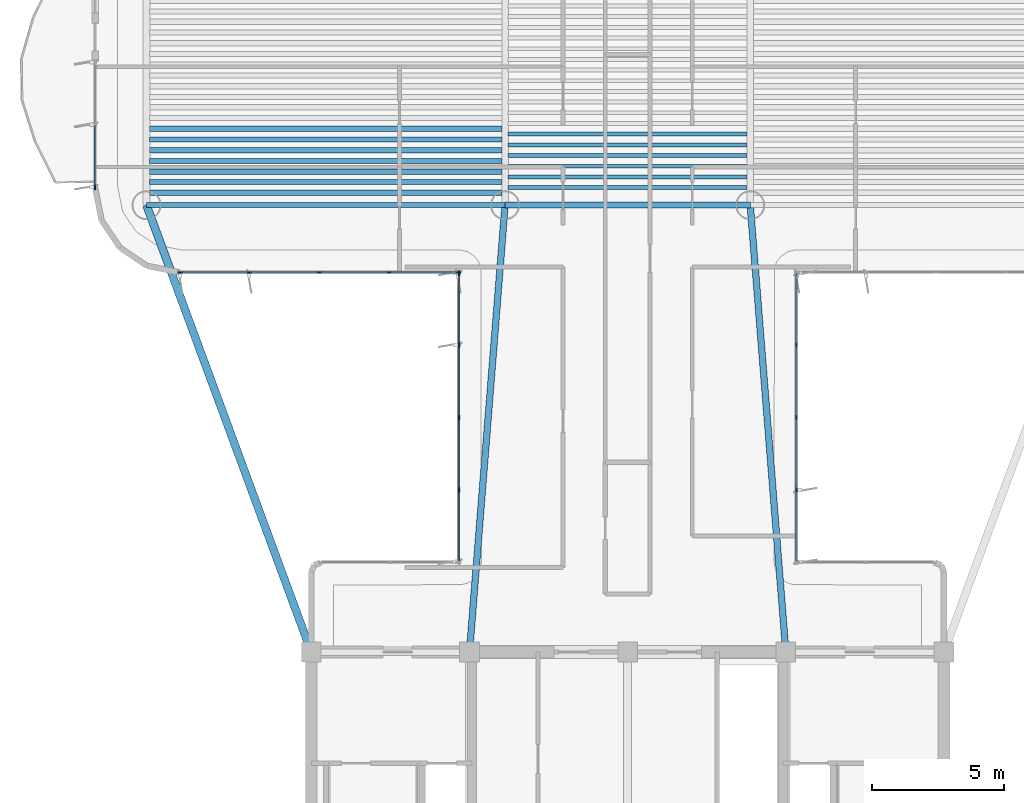
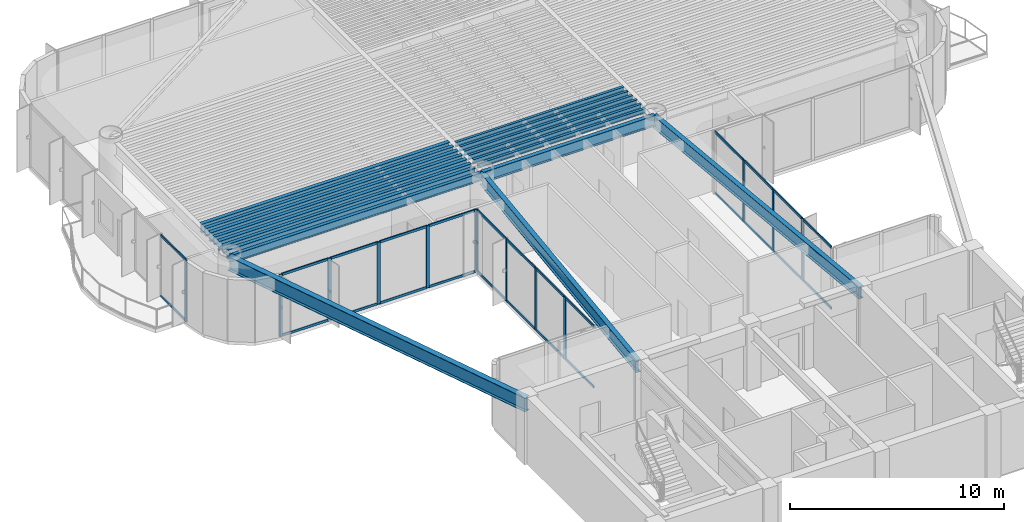
# One storey, part 3 of 14: 39 members, 18 beams, 4 elements without a shape of their own.
"""IFC4 building model written with IfcOpenShell, lengths in metres."""

from ifc_helpers import new_model, si_unit, direction, frame, origin, origin_2d, place, context, subcontext, project, spatial, rectangle, i_section, extrude, source, transform, mapped, material, layer, layer_set, material_profile, profile_set, type_object, element, aggregate, save


model = new_model("IFC4")

# Units and contexts
model_context = context("Model", 3, precision=1e-05, world=origin(), true_north=direction((0.0, 1.0)))
body_context = subcontext(model_context, "Body", "Model", "MODEL_VIEW")
ifc_project = project(units=[si_unit("LENGTHUNIT", "METRE"), si_unit("AREAUNIT", "SQUARE_METRE"), si_unit("VOLUMEUNIT", "CUBIC_METRE"), si_unit("PLANEANGLEUNIT", "RADIAN"), si_unit("MASSUNIT", "GRAM", prefix="KILO")], contexts=[model_context])

# Site, building, storey
site_placement = place(None, origin())
site = spatial("IfcSite", under=ifc_project, at=site_placement, CompositionType="ELEMENT")
building_placement = place(site_placement, origin())
building = spatial("IfcBuilding", under=site, at=building_placement, Name="Brelvock Crest Care Tower", CompositionType="ELEMENT")
storey_placement = place(building_placement, frame((0.0, 0.0, 179.10009765625)))
storey = spatial("IfcBuildingStorey", under=building, at=storey_placement, Name="L45", CompositionType="ELEMENT", Elevation=179.10009765625)

# Beams
ifc_material_1 = material(Name="Steel Grade 350", Category="steel")
ifc_material_profile_1 = material_profile(ifc_material_1, i_section(OverallWidth=0.22900390625, OverallDepth=0.612060546875, WebThickness=0.011962890625, FlangeThickness=0.01953125, FilletRadius=0.013916015625, at=origin_2d()), Name="610UB125")
ifc_profile_set_1 = profile_set([ifc_material_profile_1], Name="Steel Grade 350")
beam_type_1 = type_object("IfcBeamType", Name="BM-G1", PredefinedType="BEAM", material=ifc_profile_set_1)
shared_shape_1 = source(origin(), body_context, "Body", "SweptSolid", [
    extrude(i_section(OverallWidth=0.22900390625, OverallDepth=0.612060546875, WebThickness=0.011962890625, FlangeThickness=0.01953125, FilletRadius=0.013916015625, at=origin_2d()), origin(), (0.0, 0.0, 1.0), 9.2998046875),
])
beam_1_placement = place(storey_placement, frame((31.35009765625, 34.949951171875, 3.223876953125), z_axis=(1.0, 0.0, 0.0), x_axis=(0.0, 1.0, 0.0)))
element("IfcBeam", 1, at=beam_1_placement, inside=storey, type_object=beam_type_1, Name="BM-TWR-L45-05", PredefinedType="BEAM", context=body_context, shape_type="MappedRepresentation", body=[
    mapped(shared_shape_1, transform((0.0, 0.0, 0.0), x_axis=(1.0, 0.0, 0.0), y_axis=(0.0, 1.0, 0.0), z_axis=(0.0, 0.0, 1.0), scale=1.0)),
])
ifc_material_profile_2 = material_profile(ifc_material_1, i_section(OverallWidth=0.14599609375, OverallDepth=0.256103515625, WebThickness=0.00634765625, FlangeThickness=0.010986328125, FilletRadius=0.0087890625, at=origin_2d()), Name="250UB37.3")
ifc_profile_set_2 = profile_set([ifc_material_profile_2], Name="Steel Grade 350")
beam_type_2 = type_object("IfcBeamType", Name="BM-J3", PredefinedType="JOIST", material=ifc_profile_set_2)
shared_shape_2 = source(origin(), body_context, "Body", "SweptSolid", [
    extrude(i_section(OverallWidth=0.14599609375, OverallDepth=0.256103515625, WebThickness=0.00634765625, FlangeThickness=0.010986328125, FilletRadius=0.0087890625, at=origin_2d()), origin(), (0.0, 0.0, 1.0), 9.06982421875),
])
for number, where, z_axis, x_axis, name in (
    (2, (31.465087890625, 35.618896484375, 3.40185546875), (1.0, 0.0, 0.0), (0.0, 1.0, 0.0), "BM-JH-L45-1"),
    (3, (31.465087890625, 36.02392578125, 3.40185546875), (1.0, 0.0, 0.0), (0.0, 1.0, 0.0), "BM-JH-L45-2"),
    (4, (31.465087890625, 36.42919921875, 3.40185546875), (1.0, 0.0, 0.0), (0.0, 1.0, 0.0), "BM-JH-L45-3"),
    (5, (31.465087890625, 36.834228515625, 3.40185546875), (1.0, 0.0, 0.0), (0.0, 1.0, 0.0), "BM-JH-L45-4"),
    (6, (31.465087890625, 37.239501953125, 3.40185546875), (1.0, 0.0, 0.0), (0.0, 1.0, 0.0), "BM-JH-L45-5"),
    (7, (31.465087890625, 37.64453125, 3.40185546875), (1.0, 0.0, 0.0), (0.0, 1.0, 0.0), "BM-JH-L45-6"),
):
    element("IfcBeam", number, at=place(storey_placement, frame(where, z_axis=z_axis, x_axis=x_axis)), inside=storey, type_object=beam_type_2, Name=name, PredefinedType="JOIST", context=body_context, shape_type="MappedRepresentation", body=[
        mapped(shared_shape_2, transform((0.0, 0.0, 0.0), x_axis=(1.0, 0.0, 0.0), y_axis=(0.0, 1.0, 0.0), z_axis=(0.0, 0.0, 1.0), scale=1.0)),
    ])
ifc_material_profile_3 = material_profile(ifc_material_1, i_section(OverallWidth=0.208984375, OverallDepth=0.532958984375, WebThickness=0.01025390625, FlangeThickness=0.015625, FilletRadius=0.013916015625, at=origin_2d()), Name="530UB92.4")
ifc_profile_set_3 = profile_set([ifc_material_profile_3], Name="Steel Grade 350")
beam_type_3 = type_object("IfcBeamType", Name="BM-G2", PredefinedType="BEAM", material=ifc_profile_set_3)
shared_shape_3 = source(origin(), body_context, "Body", "SweptSolid", [
    extrude(i_section(OverallWidth=0.208984375, OverallDepth=0.532958984375, WebThickness=0.01025390625, FlangeThickness=0.015625, FilletRadius=0.013916015625, at=origin_2d()), origin(), (0.0, 0.0, 1.0), 13.3701171875),
])
for number, where, z_axis, x_axis, name in (
    (8, (17.864990234375, 35.416259765625, 3.263427734375), (1.0, 0.0, 0.0), (0.0, 1.0, 0.0), "BM-JW-L45-1"),
    (9, (17.864990234375, 36.2265625, 3.263427734375), (1.0, 0.0, 0.0), (0.0, 1.0, 0.0), "BM-JW-L45-3"),
    (10, (17.864990234375, 37.036865234375, 3.263427734375), (1.0, 0.0, 0.0), (0.0, 1.0, 0.0), "BM-JW-L45-5"),
    (11, (17.864990234375, 37.84716796875, 3.263427734375), (1.0, 0.0, 0.0), (0.0, 1.0, 0.0), "BM-JW-L45-7"),
):
    element("IfcBeam", number, at=place(storey_placement, frame(where, z_axis=z_axis, x_axis=x_axis)), inside=storey, type_object=beam_type_3, Name=name, PredefinedType="BEAM", context=body_context, shape_type="MappedRepresentation", body=[
        mapped(shared_shape_3, transform((0.0, 0.0, 0.0), x_axis=(1.0, 0.0, 0.0), y_axis=(0.0, 1.0, 0.0), z_axis=(0.0, 0.0, 1.0), scale=1.0)),
    ])
ifc_material_profile_4 = material_profile(ifc_material_1, i_section(OverallWidth=0.19091796875, OverallDepth=0.4599609375, WebThickness=0.010009765625, FlangeThickness=0.01611328125, FilletRadius=0.011474609375, at=origin_2d()), Name="460UB82.1")
ifc_profile_set_4 = profile_set([ifc_material_profile_4], Name="Steel Grade 350")
beam_type_4 = type_object("IfcBeamType", Name="BM-G3", PredefinedType="BEAM", material=ifc_profile_set_4)
shared_shape_4 = source(origin(), body_context, "Body", "SweptSolid", [
    extrude(i_section(OverallWidth=0.19091796875, OverallDepth=0.4599609375, WebThickness=0.010009765625, FlangeThickness=0.01611328125, FilletRadius=0.011474609375, at=origin_2d()), origin(), (0.0, 0.0, 1.0), 13.3701171875),
])
for number, where, z_axis, x_axis, name in (
    (12, (17.864990234375, 35.8212890625, 3.2998046875), (1.0, 0.0, 0.0), (0.0, 1.0, 0.0), "BM-JW-L45-2"),
    (13, (17.864990234375, 36.631591796875, 3.2998046875), (1.0, 0.0, 0.0), (0.0, 1.0, 0.0), "BM-JW-L45-4"),
    (14, (17.864990234375, 37.44189453125, 3.2998046875), (1.0, 0.0, 0.0), (0.0, 1.0, 0.0), "BM-JW-L45-6"),
):
    element("IfcBeam", number, at=place(storey_placement, frame(where, z_axis=z_axis, x_axis=x_axis)), inside=storey, type_object=beam_type_4, Name=name, PredefinedType="BEAM", context=body_context, shape_type="MappedRepresentation", body=[
        mapped(shared_shape_4, transform((0.0, 0.0, 0.0), x_axis=(1.0, 0.0, 0.0), y_axis=(0.0, 1.0, 0.0), z_axis=(0.0, 0.0, 1.0), scale=1.0)),
    ])
ifc_material_profile_5 = material_profile(ifc_material_1, i_section(OverallWidth=0.19091796875, OverallDepth=0.4599609375, WebThickness=0.010009765625, FlangeThickness=0.01611328125, FilletRadius=0.011474609375, at=origin_2d()), Name="460UB82.1")
ifc_profile_set_5 = profile_set([ifc_material_profile_5], Name="Steel Grade 350")
beam_type_5 = type_object("IfcBeamType", Name="BM-SP2", PredefinedType="SPANDREL", material=ifc_profile_set_5)
shared_shape_5 = source(origin(), body_context, "Body", "SweptSolid", [
    extrude(i_section(OverallWidth=0.19091796875, OverallDepth=0.4599609375, WebThickness=0.010009765625, FlangeThickness=0.01611328125, FilletRadius=0.011474609375, at=origin_2d()), origin(), (0.0, 0.0, 1.0), 13.60009765625),
])
beam_2_placement = place(storey_placement, frame((17.75, 34.949951171875, 3.2998046875), z_axis=(1.0, 0.0, 0.0), x_axis=(0.0, 1.0, 0.0)))
element("IfcBeam", 15, at=beam_2_placement, inside=storey, type_object=beam_type_5, Name="BM-TWR-L45-03", PredefinedType="SPANDREL", context=body_context, shape_type="MappedRepresentation", body=[
    mapped(shared_shape_5, transform((0.0, 0.0, 0.0), x_axis=(1.0, 0.0, 0.0), y_axis=(0.0, 1.0, 0.0), z_axis=(0.0, 0.0, 1.0), scale=1.0)),
])
ifc_material_profile_6 = material_profile(ifc_material_1, i_section(OverallWidth=0.25, OverallDepth=0.699951171875, WebThickness=0.011962890625, FlangeThickness=0.02001953125, at=origin_2d()), Name="700WB150")
ifc_profile_set_6 = profile_set([ifc_material_profile_6], Name="Steel Grade 350")
beam_type_6 = type_object("IfcBeamType", Name="BM-G4", PredefinedType="BEAM", material=ifc_profile_set_6)
shared_shape_6 = source(origin(), body_context, "Body", "SweptSolid", [
    extrude(i_section(OverallWidth=0.25, OverallDepth=0.699951171875, WebThickness=0.011962890625, FlangeThickness=0.02001953125, at=origin_2d()), origin(), (0.0, 0.0, 1.0), 17.003662109375),
])
for number, where, z_axis, x_axis, name in (
    (16, (30.0, 18.0, 3.179931640625), (0.079400530776, 0.996842793881, 0.0), (-0.996842793881, 0.079400530776, 0.0), "BM-THRW-L45"),
    (17, (42.0, 18.0, 3.179931640625), (-0.079400530776, 0.996842793881, 0.0), (-0.996842793881, -0.079400530776, 0.0), "BM-THRE-L45"),
):
    element("IfcBeam", number, at=place(storey_placement, frame(where, z_axis=z_axis, x_axis=x_axis)), inside=storey, type_object=beam_type_6, Name=name, PredefinedType="BEAM", context=body_context, shape_type="MappedRepresentation", body=[
        mapped(shared_shape_6, transform((0.0, 0.0, 0.0), x_axis=(1.0, 0.0, 0.0), y_axis=(0.0, 1.0, 0.0), z_axis=(0.0, 0.0, 1.0), scale=1.0)),
    ])
ifc_material_profile_7 = material_profile(ifc_material_1, i_section(OverallWidth=0.300048828125, OverallDepth=0.800048828125, WebThickness=0.013916015625, FlangeThickness=0.02197265625, at=origin_2d()), Name="800WB192")
ifc_profile_set_7 = profile_set([ifc_material_profile_7], Name="Steel Grade 350")
beam_type_7 = type_object("IfcBeamType", Name="BM-G5", PredefinedType="BEAM", material=ifc_profile_set_7)
shared_shape_7 = source(origin(), body_context, "Body", "SweptSolid", [
    extrude(i_section(OverallWidth=0.300048828125, OverallDepth=0.800048828125, WebThickness=0.013916015625, FlangeThickness=0.02197265625, at=origin_2d()), origin(), (0.0, 0.0, 1.0), 18.0654296875),
])
beam_3_placement = place(storey_placement, frame((24.0, 18.0, 3.1298828125), z_axis=(-0.345962741309, 0.938248251597, 0.0), x_axis=(-0.938248251597, -0.345962741309, 0.0)))
element("IfcBeam", 18, at=beam_3_placement, inside=storey, type_object=beam_type_7, Name="BM-THRO-W-L45", PredefinedType="BEAM", context=body_context, shape_type="MappedRepresentation", body=[
    mapped(shared_shape_7, transform((0.0, 0.0, 0.0), x_axis=(1.0, 0.0, 0.0), y_axis=(0.0, 1.0, 0.0), z_axis=(0.0, 0.0, 1.0), scale=1.0)),
])

# Curtain wall, members
ifc_material_2 = material(Name="Dark Glass Double Glazed Low-E", Category="glass")
ifc_layer = layer(ifc_material_2, 0.22509765625, Name="CWS-4")
ifc_layer_set = layer_set([ifc_layer], Name="Dark Glass Double Glazed Low-E")
curtain_wall_type = type_object("IfcCurtainWallType", Name="CWS-4", PredefinedType="NOTDEFINED", material=ifc_layer_set)
curtain_wall_1_placement = place(storey_placement, origin())
curtain_wall_1 = element("IfcCurtainWall", 19, at=curtain_wall_1_placement, inside=storey, type_object=curtain_wall_type, Name="L45 Curtain Wall E11", PredefinedType="NOTDEFINED")
ifc_material_3 = material(Name="Aluminium 6063-T6", Category="aluminium")
ifc_material_profile_8 = material_profile(ifc_material_3, rectangle(XDim=0.06005859375, YDim=0.179931640625, at=origin_2d()), Name="ALU60x180")
ifc_profile_set_8 = profile_set([ifc_material_profile_8], Name="Aluminium 6063-T6")
member_type_1 = type_object("IfcMemberType", Name="CWM-2", PredefinedType="MULLION", material=ifc_profile_set_8)
shared_shape_8 = source(origin(), body_context, "Body", "SweptSolid", [
    extrude(rectangle(XDim=0.06005859375, YDim=0.179931640625, at=origin_2d()), origin(), (0.0, 0.0, 1.0), 3.52978515625),
])
member_1_placement = place(storey_placement, frame((29.60009765625, 24.14990234375, 0.0), z_axis=(0.0, 0.0, 1.0), x_axis=(-1.0, 0.0, 0.0)))
member_1 = element("IfcMember", 20, at=member_1_placement, type_object=member_type_1, Name="CW-4 mullion 2", PredefinedType="MULLION", context=body_context, shape_type="MappedRepresentation", body=[
    mapped(shared_shape_8, transform((0.0, 0.0, 0.0), x_axis=(1.0, 0.0, 0.0), y_axis=(0.0, 1.0, 0.0), z_axis=(0.0, 0.0, 1.0), scale=1.0)),
])
member_2_placement = place(storey_placement, frame((29.60009765625, 26.89990234375, 0.0), z_axis=(0.0, 0.0, 1.0), x_axis=(-1.0, 0.0, 0.0)))
member_2 = element("IfcMember", 21, at=member_2_placement, type_object=member_type_1, Name="CW-4 mullion 3", PredefinedType="MULLION", context=body_context, shape_type="MappedRepresentation", body=[
    mapped(shared_shape_8, transform((0.0, 0.0, 0.0), x_axis=(1.0, 0.0, 0.0), y_axis=(0.0, 1.0, 0.0), z_axis=(0.0, 0.0, 1.0), scale=1.0)),
])
member_3_placement = place(storey_placement, frame((29.60009765625, 29.64990234375, 0.0), z_axis=(0.0, 0.0, 1.0), x_axis=(-1.0, 0.0, 0.0)))
member_3 = element("IfcMember", 22, at=member_3_placement, type_object=member_type_1, Name="CW-4 mullion 4", PredefinedType="MULLION", context=body_context, shape_type="MappedRepresentation", body=[
    mapped(shared_shape_8, transform((0.0, 0.0, 0.0), x_axis=(1.0, 0.0, 0.0), y_axis=(0.0, 1.0, 0.0), z_axis=(0.0, 0.0, 1.0), scale=1.0)),
])
member_4_placement = place(storey_placement, frame((29.60009765625, 32.3701171875, 0.0), z_axis=(0.0, 0.0, 1.0), x_axis=(-1.0, 0.0, 0.0)))
member_4 = element("IfcMember", 23, at=member_4_placement, type_object=member_type_1, Name="CW-4 mullion 5", PredefinedType="MULLION", context=body_context, shape_type="MappedRepresentation", body=[
    mapped(shared_shape_8, transform((0.0, 0.0, 0.0), x_axis=(1.0, 0.0, 0.0), y_axis=(0.0, 1.0, 0.0), z_axis=(0.0, 0.0, 1.0), scale=1.0)),
])

curtain_wall_2_placement = place(storey_placement, origin())
curtain_wall_2 = element("IfcCurtainWall", 24, at=curtain_wall_2_placement, inside=storey, type_object=curtain_wall_type, Name="L45 Curtain Wall E12", PredefinedType="NOTDEFINED")
member_5_placement = place(storey_placement, frame((29.570068359375, 32.39990234375, 0.0), z_axis=(0.0, 0.0, 1.0), x_axis=(0.0, -1.0, 0.0)))
member_5 = element("IfcMember", 25, at=member_5_placement, type_object=member_type_1, Name="CW-4 mullion 1", PredefinedType="MULLION", context=body_context, shape_type="MappedRepresentation", body=[
    mapped(shared_shape_8, transform((0.0, 0.0, 0.0), x_axis=(1.0, 0.0, 0.0), y_axis=(0.0, 1.0, 0.0), z_axis=(0.0, 0.0, 1.0), scale=1.0)),
])
member_6_placement = place(storey_placement, frame((26.949951171875, 32.39990234375, 0.0), z_axis=(0.0, 0.0, 1.0), x_axis=(0.0, -1.0, 0.0)))
member_6 = element("IfcMember", 26, at=member_6_placement, type_object=member_type_1, Name="CW-4 mullion 2", PredefinedType="MULLION", context=body_context, shape_type="MappedRepresentation", body=[
    mapped(shared_shape_8, transform((0.0, 0.0, 0.0), x_axis=(1.0, 0.0, 0.0), y_axis=(0.0, 1.0, 0.0), z_axis=(0.0, 0.0, 1.0), scale=1.0)),
])
member_7_placement = place(storey_placement, frame((24.300048828125, 32.39990234375, 0.0), z_axis=(0.0, 0.0, 1.0), x_axis=(0.0, -1.0, 0.0)))
member_7 = element("IfcMember", 27, at=member_7_placement, type_object=member_type_1, Name="CW-4 mullion 3", PredefinedType="MULLION", context=body_context, shape_type="MappedRepresentation", body=[
    mapped(shared_shape_8, transform((0.0, 0.0, 0.0), x_axis=(1.0, 0.0, 0.0), y_axis=(0.0, 1.0, 0.0), z_axis=(0.0, 0.0, 1.0), scale=1.0)),
])
member_8_placement = place(storey_placement, frame((21.64990234375, 32.39990234375, 0.0), z_axis=(0.0, 0.0, 1.0), x_axis=(0.0, -1.0, 0.0)))
member_8 = element("IfcMember", 28, at=member_8_placement, type_object=member_type_1, Name="CW-4 mullion 4", PredefinedType="MULLION", context=body_context, shape_type="MappedRepresentation", body=[
    mapped(shared_shape_8, transform((0.0, 0.0, 0.0), x_axis=(1.0, 0.0, 0.0), y_axis=(0.0, 1.0, 0.0), z_axis=(0.0, 0.0, 1.0), scale=1.0)),
])
member_9_placement = place(storey_placement, frame((19.030029296875, 32.39990234375, 0.0), z_axis=(0.0, 0.0, 1.0), x_axis=(0.0, -1.0, 0.0)))
member_9 = element("IfcMember", 29, at=member_9_placement, type_object=member_type_1, Name="CW-4 mullion 5", PredefinedType="MULLION", context=body_context, shape_type="MappedRepresentation", body=[
    mapped(shared_shape_8, transform((0.0, 0.0, 0.0), x_axis=(1.0, 0.0, 0.0), y_axis=(0.0, 1.0, 0.0), z_axis=(0.0, 0.0, 1.0), scale=1.0)),
])

# Curtain wall, member
curtain_wall_3_placement = place(storey_placement, origin())
curtain_wall_3 = element("IfcCurtainWall", 30, at=curtain_wall_3_placement, inside=storey, type_object=curtain_wall_type, Name="L45 Curtain Wall E17A", PredefinedType="NOTDEFINED")
member_10_placement = place(storey_placement, frame((15.800048828125, 35.6298828125, 0.0), z_axis=(0.0, 0.0, 1.0), x_axis=(-1.0, 0.0, 0.0)))
member_10 = element("IfcMember", 31, at=member_10_placement, type_object=member_type_1, Name="CW-4 mullion 1", PredefinedType="MULLION", context=body_context, shape_type="MappedRepresentation", body=[
    mapped(shared_shape_8, transform((0.0, 0.0, 0.0), x_axis=(1.0, 0.0, 0.0), y_axis=(0.0, 1.0, 0.0), z_axis=(0.0, 0.0, 1.0), scale=1.0)),
])

# Curtain wall, members
curtain_wall_4_placement = place(storey_placement, origin())
curtain_wall_4 = element("IfcCurtainWall", 32, at=curtain_wall_4_placement, inside=storey, type_object=curtain_wall_type, Name="L45 Curtain Wall E45", PredefinedType="NOTDEFINED")
member_11_placement = place(storey_placement, frame((42.39990234375, 29.64990234375, 0.0), z_axis=(0.0, 0.0, 1.0), x_axis=(1.0, 0.0, 0.0)))
member_11 = element("IfcMember", 33, at=member_11_placement, type_object=member_type_1, Name="CW-4 mullion 2", PredefinedType="MULLION", context=body_context, shape_type="MappedRepresentation", body=[
    mapped(shared_shape_8, transform((0.0, 0.0, 0.0), x_axis=(1.0, 0.0, 0.0), y_axis=(0.0, 1.0, 0.0), z_axis=(0.0, 0.0, 1.0), scale=1.0)),
])
member_12_placement = place(storey_placement, frame((42.39990234375, 26.89990234375, 0.0), z_axis=(0.0, 0.0, 1.0), x_axis=(1.0, 0.0, 0.0)))
member_12 = element("IfcMember", 34, at=member_12_placement, type_object=member_type_1, Name="CW-4 mullion 3", PredefinedType="MULLION", context=body_context, shape_type="MappedRepresentation", body=[
    mapped(shared_shape_8, transform((0.0, 0.0, 0.0), x_axis=(1.0, 0.0, 0.0), y_axis=(0.0, 1.0, 0.0), z_axis=(0.0, 0.0, 1.0), scale=1.0)),
])
member_13_placement = place(storey_placement, frame((42.39990234375, 24.14990234375, 0.0), z_axis=(0.0, 0.0, 1.0), x_axis=(1.0, 0.0, 0.0)))
member_13 = element("IfcMember", 35, at=member_13_placement, type_object=member_type_1, Name="CW-4 mullion 4", PredefinedType="MULLION", context=body_context, shape_type="MappedRepresentation", body=[
    mapped(shared_shape_8, transform((0.0, 0.0, 0.0), x_axis=(1.0, 0.0, 0.0), y_axis=(0.0, 1.0, 0.0), z_axis=(0.0, 0.0, 1.0), scale=1.0)),
])

# Member
ifc_material_profile_9 = material_profile(ifc_material_3, rectangle(XDim=0.06005859375, YDim=0.139892578125, at=origin_2d()), Name="ALU60x140")
ifc_profile_set_9 = profile_set([ifc_material_profile_9], Name="Aluminium 6063-T6")
member_type_2 = type_object("IfcMemberType", Name="CWT-2", PredefinedType="USERDEFINED", material=ifc_profile_set_9)
shared_shape_9 = source(origin(), body_context, "Body", "SweptSolid", [
    extrude(rectangle(XDim=0.06005859375, YDim=0.139892578125, at=origin_2d()), origin(), (0.0, 0.0, 1.0), 2.66015625),
])
member_14_placement = place(storey_placement, frame((29.60009765625, 21.4599609375, 0.02978515625), z_axis=(0.0, 1.0, 0.0), x_axis=(-1.0, 0.0, 0.0)))
member_14 = element("IfcMember", 36, at=member_14_placement, type_object=member_type_2, Name="CW-4 transom 1.1", ObjectType="TRANSOM", PredefinedType="USERDEFINED", context=body_context, shape_type="MappedRepresentation", body=[
    mapped(shared_shape_9, transform((0.0, 0.0, 0.0), x_axis=(1.0, 0.0, 0.0), y_axis=(0.0, 1.0, 0.0), z_axis=(0.0, 0.0, 1.0), scale=1.0)),
])

member_15_placement = place(storey_placement, frame((29.60009765625, 21.4599609375, 3.5), z_axis=(0.0, 1.0, 0.0), x_axis=(-1.0, 0.0, 0.0)))
member_15 = element("IfcMember", 37, at=member_15_placement, type_object=member_type_2, Name="CW-4 transom 1.2", ObjectType="TRANSOM", PredefinedType="USERDEFINED", context=body_context, shape_type="MappedRepresentation", body=[
    mapped(shared_shape_9, transform((0.0, 0.0, 0.0), x_axis=(1.0, 0.0, 0.0), y_axis=(0.0, 1.0, 0.0), z_axis=(0.0, 0.0, 1.0), scale=1.0)),
])

member_16_placement = place(storey_placement, frame((29.60009765625, 29.679931640625, 0.02978515625), z_axis=(0.0, 1.0, 0.0), x_axis=(-1.0, 0.0, 0.0)))
member_16 = element("IfcMember", 38, at=member_16_placement, type_object=member_type_2, Name="CW-4 transom 4.1", ObjectType="TRANSOM", PredefinedType="USERDEFINED", context=body_context, shape_type="MappedRepresentation", body=[
    mapped(shared_shape_9, transform((0.0, 0.0, 0.0), x_axis=(1.0, 0.0, 0.0), y_axis=(0.0, 1.0, 0.0), z_axis=(0.0, 0.0, 1.0), scale=1.0)),
])

member_17_placement = place(storey_placement, frame((29.60009765625, 29.679931640625, 3.5), z_axis=(0.0, 1.0, 0.0), x_axis=(-1.0, 0.0, 0.0)))
member_17 = element("IfcMember", 39, at=member_17_placement, type_object=member_type_2, Name="CW-4 transom 4.2", ObjectType="TRANSOM", PredefinedType="USERDEFINED", context=body_context, shape_type="MappedRepresentation", body=[
    mapped(shared_shape_9, transform((0.0, 0.0, 0.0), x_axis=(1.0, 0.0, 0.0), y_axis=(0.0, 1.0, 0.0), z_axis=(0.0, 0.0, 1.0), scale=1.0)),
])

member_18_placement = place(storey_placement, frame((42.39990234375, 32.340087890625, 0.02978515625), z_axis=(0.0, -1.0, 0.0), x_axis=(1.0, 0.0, 0.0)))
member_18 = element("IfcMember", 40, at=member_18_placement, type_object=member_type_2, Name="CW-4 transom 1.1", ObjectType="TRANSOM", PredefinedType="USERDEFINED", context=body_context, shape_type="MappedRepresentation", body=[
    mapped(shared_shape_9, transform((0.0, 0.0, 0.0), x_axis=(1.0, 0.0, 0.0), y_axis=(0.0, 1.0, 0.0), z_axis=(0.0, 0.0, 1.0), scale=1.0)),
])

member_19_placement = place(storey_placement, frame((42.39990234375, 32.340087890625, 3.5), z_axis=(0.0, -1.0, 0.0), x_axis=(1.0, 0.0, 0.0)))
member_19 = element("IfcMember", 41, at=member_19_placement, type_object=member_type_2, Name="CW-4 transom 1.2", ObjectType="TRANSOM", PredefinedType="USERDEFINED", context=body_context, shape_type="MappedRepresentation", body=[
    mapped(shared_shape_9, transform((0.0, 0.0, 0.0), x_axis=(1.0, 0.0, 0.0), y_axis=(0.0, 1.0, 0.0), z_axis=(0.0, 0.0, 1.0), scale=1.0)),
])

member_20_placement = place(storey_placement, frame((42.39990234375, 24.1201171875, 0.02978515625), z_axis=(0.0, -1.0, 0.0), x_axis=(1.0, 0.0, 0.0)))
member_20 = element("IfcMember", 42, at=member_20_placement, type_object=member_type_2, Name="CW-4 transom 4.1", ObjectType="TRANSOM", PredefinedType="USERDEFINED", context=body_context, shape_type="MappedRepresentation", body=[
    mapped(shared_shape_9, transform((0.0, 0.0, 0.0), x_axis=(1.0, 0.0, 0.0), y_axis=(0.0, 1.0, 0.0), z_axis=(0.0, 0.0, 1.0), scale=1.0)),
])

member_21_placement = place(storey_placement, frame((42.39990234375, 24.1201171875, 3.5), z_axis=(0.0, -1.0, 0.0), x_axis=(1.0, 0.0, 0.0)))
member_21 = element("IfcMember", 43, at=member_21_placement, type_object=member_type_2, Name="CW-4 transom 4.2", ObjectType="TRANSOM", PredefinedType="USERDEFINED", context=body_context, shape_type="MappedRepresentation", body=[
    mapped(shared_shape_9, transform((0.0, 0.0, 0.0), x_axis=(1.0, 0.0, 0.0), y_axis=(0.0, 1.0, 0.0), z_axis=(0.0, 0.0, 1.0), scale=1.0)),
])

shared_shape_10 = source(origin(), body_context, "Body", "SweptSolid", [
    extrude(rectangle(XDim=0.06005859375, YDim=0.139892578125, at=origin_2d()), origin(), (0.0, 0.0, 1.0), 2.690185546875),
])
member_22_placement = place(storey_placement, frame((29.60009765625, 24.179931640625, 0.02978515625), z_axis=(0.0, 1.0, 0.0), x_axis=(-1.0, 0.0, 0.0)))
member_22 = element("IfcMember", 44, at=member_22_placement, type_object=member_type_2, Name="CW-4 transom 2.1", ObjectType="TRANSOM", PredefinedType="USERDEFINED", context=body_context, shape_type="MappedRepresentation", body=[
    mapped(shared_shape_10, transform((0.0, 0.0, 0.0), x_axis=(1.0, 0.0, 0.0), y_axis=(0.0, 1.0, 0.0), z_axis=(0.0, 0.0, 1.0), scale=1.0)),
])

member_23_placement = place(storey_placement, frame((29.60009765625, 24.179931640625, 3.5), z_axis=(0.0, 1.0, 0.0), x_axis=(-1.0, 0.0, 0.0)))
member_23 = element("IfcMember", 45, at=member_23_placement, type_object=member_type_2, Name="CW-4 transom 2.2", ObjectType="TRANSOM", PredefinedType="USERDEFINED", context=body_context, shape_type="MappedRepresentation", body=[
    mapped(shared_shape_10, transform((0.0, 0.0, 0.0), x_axis=(1.0, 0.0, 0.0), y_axis=(0.0, 1.0, 0.0), z_axis=(0.0, 0.0, 1.0), scale=1.0)),
])

member_24_placement = place(storey_placement, frame((29.60009765625, 26.929931640625, 0.02978515625), z_axis=(0.0, 1.0, 0.0), x_axis=(-1.0, 0.0, 0.0)))
member_24 = element("IfcMember", 46, at=member_24_placement, type_object=member_type_2, Name="CW-4 transom 3.1", ObjectType="TRANSOM", PredefinedType="USERDEFINED", context=body_context, shape_type="MappedRepresentation", body=[
    mapped(shared_shape_10, transform((0.0, 0.0, 0.0), x_axis=(1.0, 0.0, 0.0), y_axis=(0.0, 1.0, 0.0), z_axis=(0.0, 0.0, 1.0), scale=1.0)),
])

member_25_placement = place(storey_placement, frame((29.60009765625, 26.929931640625, 3.5), z_axis=(0.0, 1.0, 0.0), x_axis=(-1.0, 0.0, 0.0)))
member_25 = element("IfcMember", 47, at=member_25_placement, type_object=member_type_2, Name="CW-4 transom 3.2", ObjectType="TRANSOM", PredefinedType="USERDEFINED", context=body_context, shape_type="MappedRepresentation", body=[
    mapped(shared_shape_10, transform((0.0, 0.0, 0.0), x_axis=(1.0, 0.0, 0.0), y_axis=(0.0, 1.0, 0.0), z_axis=(0.0, 0.0, 1.0), scale=1.0)),
])

aggregate(curtain_wall_1, [member_1, member_2, member_3, member_4, member_14, member_15, member_22, member_23, member_24, member_25, member_16, member_17])

member_26_placement = place(storey_placement, frame((42.39990234375, 29.6201171875, 0.02978515625), z_axis=(0.0, -1.0, 0.0), x_axis=(1.0, 0.0, 0.0)))
member_26 = element("IfcMember", 48, at=member_26_placement, type_object=member_type_2, Name="CW-4 transom 2.1", ObjectType="TRANSOM", PredefinedType="USERDEFINED", context=body_context, shape_type="MappedRepresentation", body=[
    mapped(shared_shape_10, transform((0.0, 0.0, 0.0), x_axis=(1.0, 0.0, 0.0), y_axis=(0.0, 1.0, 0.0), z_axis=(0.0, 0.0, 1.0), scale=1.0)),
])

member_27_placement = place(storey_placement, frame((42.39990234375, 29.6201171875, 3.5), z_axis=(0.0, -1.0, 0.0), x_axis=(1.0, 0.0, 0.0)))
member_27 = element("IfcMember", 49, at=member_27_placement, type_object=member_type_2, Name="CW-4 transom 2.2", ObjectType="TRANSOM", PredefinedType="USERDEFINED", context=body_context, shape_type="MappedRepresentation", body=[
    mapped(shared_shape_10, transform((0.0, 0.0, 0.0), x_axis=(1.0, 0.0, 0.0), y_axis=(0.0, 1.0, 0.0), z_axis=(0.0, 0.0, 1.0), scale=1.0)),
])

member_28_placement = place(storey_placement, frame((42.39990234375, 26.8701171875, 0.02978515625), z_axis=(0.0, -1.0, 0.0), x_axis=(1.0, 0.0, 0.0)))
member_28 = element("IfcMember", 50, at=member_28_placement, type_object=member_type_2, Name="CW-4 transom 3.1", ObjectType="TRANSOM", PredefinedType="USERDEFINED", context=body_context, shape_type="MappedRepresentation", body=[
    mapped(shared_shape_10, transform((0.0, 0.0, 0.0), x_axis=(1.0, 0.0, 0.0), y_axis=(0.0, 1.0, 0.0), z_axis=(0.0, 0.0, 1.0), scale=1.0)),
])

member_29_placement = place(storey_placement, frame((42.39990234375, 26.8701171875, 3.5), z_axis=(0.0, -1.0, 0.0), x_axis=(1.0, 0.0, 0.0)))
member_29 = element("IfcMember", 51, at=member_29_placement, type_object=member_type_2, Name="CW-4 transom 3.2", ObjectType="TRANSOM", PredefinedType="USERDEFINED", context=body_context, shape_type="MappedRepresentation", body=[
    mapped(shared_shape_10, transform((0.0, 0.0, 0.0), x_axis=(1.0, 0.0, 0.0), y_axis=(0.0, 1.0, 0.0), z_axis=(0.0, 0.0, 1.0), scale=1.0)),
])

aggregate(curtain_wall_4, [member_11, member_12, member_13, member_18, member_19, member_26, member_27, member_28, member_29, member_20, member_21])

shared_shape_11 = source(origin(), body_context, "Body", "SweptSolid", [
    extrude(rectangle(XDim=0.06005859375, YDim=0.139892578125, at=origin_2d()), origin(), (0.0, 0.0, 1.0), 2.56005859375),
])
member_30_placement = place(storey_placement, frame((29.5400390625, 32.39990234375, 0.02978515625), z_axis=(-1.0, 0.0, 0.0), x_axis=(0.0, -1.0, 0.0)))
member_30 = element("IfcMember", 52, at=member_30_placement, type_object=member_type_2, Name="CW-4 transom 1.1", ObjectType="TRANSOM", PredefinedType="USERDEFINED", context=body_context, shape_type="MappedRepresentation", body=[
    mapped(shared_shape_11, transform((0.0, 0.0, 0.0), x_axis=(1.0, 0.0, 0.0), y_axis=(0.0, 1.0, 0.0), z_axis=(0.0, 0.0, 1.0), scale=1.0)),
])

member_31_placement = place(storey_placement, frame((29.5400390625, 32.39990234375, 3.5), z_axis=(-1.0, 0.0, 0.0), x_axis=(0.0, -1.0, 0.0)))
member_31 = element("IfcMember", 53, at=member_31_placement, type_object=member_type_2, Name="CW-4 transom 1.2", ObjectType="TRANSOM", PredefinedType="USERDEFINED", context=body_context, shape_type="MappedRepresentation", body=[
    mapped(shared_shape_11, transform((0.0, 0.0, 0.0), x_axis=(1.0, 0.0, 0.0), y_axis=(0.0, 1.0, 0.0), z_axis=(0.0, 0.0, 1.0), scale=1.0)),
])

member_32_placement = place(storey_placement, frame((21.6201171875, 32.39990234375, 0.02978515625), z_axis=(-1.0, 0.0, 0.0), x_axis=(0.0, -1.0, 0.0)))
member_32 = element("IfcMember", 54, at=member_32_placement, type_object=member_type_2, Name="CW-4 transom 4.1", ObjectType="TRANSOM", PredefinedType="USERDEFINED", context=body_context, shape_type="MappedRepresentation", body=[
    mapped(shared_shape_11, transform((0.0, 0.0, 0.0), x_axis=(1.0, 0.0, 0.0), y_axis=(0.0, 1.0, 0.0), z_axis=(0.0, 0.0, 1.0), scale=1.0)),
])

member_33_placement = place(storey_placement, frame((21.6201171875, 32.39990234375, 3.5), z_axis=(-1.0, 0.0, 0.0), x_axis=(0.0, -1.0, 0.0)))
member_33 = element("IfcMember", 55, at=member_33_placement, type_object=member_type_2, Name="CW-4 transom 4.2", ObjectType="TRANSOM", PredefinedType="USERDEFINED", context=body_context, shape_type="MappedRepresentation", body=[
    mapped(shared_shape_11, transform((0.0, 0.0, 0.0), x_axis=(1.0, 0.0, 0.0), y_axis=(0.0, 1.0, 0.0), z_axis=(0.0, 0.0, 1.0), scale=1.0)),
])

shared_shape_12 = source(origin(), body_context, "Body", "SweptSolid", [
    extrude(rectangle(XDim=0.06005859375, YDim=0.139892578125, at=origin_2d()), origin(), (0.0, 0.0, 1.0), 2.58984375),
])
member_34_placement = place(storey_placement, frame((26.919921875, 32.39990234375, 0.02978515625), z_axis=(-1.0, 0.0, 0.0), x_axis=(0.0, -1.0, 0.0)))
member_34 = element("IfcMember", 56, at=member_34_placement, type_object=member_type_2, Name="CW-4 transom 2.1", ObjectType="TRANSOM", PredefinedType="USERDEFINED", context=body_context, shape_type="MappedRepresentation", body=[
    mapped(shared_shape_12, transform((0.0, 0.0, 0.0), x_axis=(1.0, 0.0, 0.0), y_axis=(0.0, 1.0, 0.0), z_axis=(0.0, 0.0, 1.0), scale=1.0)),
])

member_35_placement = place(storey_placement, frame((26.919921875, 32.39990234375, 3.5), z_axis=(-1.0, 0.0, 0.0), x_axis=(0.0, -1.0, 0.0)))
member_35 = element("IfcMember", 57, at=member_35_placement, type_object=member_type_2, Name="CW-4 transom 2.2", ObjectType="TRANSOM", PredefinedType="USERDEFINED", context=body_context, shape_type="MappedRepresentation", body=[
    mapped(shared_shape_12, transform((0.0, 0.0, 0.0), x_axis=(1.0, 0.0, 0.0), y_axis=(0.0, 1.0, 0.0), z_axis=(0.0, 0.0, 1.0), scale=1.0)),
])

shared_shape_13 = source(origin(), body_context, "Body", "SweptSolid", [
    extrude(rectangle(XDim=0.06005859375, YDim=0.139892578125, at=origin_2d()), origin(), (0.0, 0.0, 1.0), 2.590087890625),
])
member_36_placement = place(storey_placement, frame((24.27001953125, 32.39990234375, 0.02978515625), z_axis=(-1.0, 0.0, 0.0), x_axis=(0.0, -1.0, 0.0)))
member_36 = element("IfcMember", 58, at=member_36_placement, type_object=member_type_2, Name="CW-4 transom 3.1", ObjectType="TRANSOM", PredefinedType="USERDEFINED", context=body_context, shape_type="MappedRepresentation", body=[
    mapped(shared_shape_13, transform((0.0, 0.0, 0.0), x_axis=(1.0, 0.0, 0.0), y_axis=(0.0, 1.0, 0.0), z_axis=(0.0, 0.0, 1.0), scale=1.0)),
])

member_37_placement = place(storey_placement, frame((24.27001953125, 32.39990234375, 3.5), z_axis=(-1.0, 0.0, 0.0), x_axis=(0.0, -1.0, 0.0)))
member_37 = element("IfcMember", 59, at=member_37_placement, type_object=member_type_2, Name="CW-4 transom 3.2", ObjectType="TRANSOM", PredefinedType="USERDEFINED", context=body_context, shape_type="MappedRepresentation", body=[
    mapped(shared_shape_13, transform((0.0, 0.0, 0.0), x_axis=(1.0, 0.0, 0.0), y_axis=(0.0, 1.0, 0.0), z_axis=(0.0, 0.0, 1.0), scale=1.0)),
])

aggregate(curtain_wall_2, [member_5, member_6, member_7, member_8, member_9, member_30, member_31, member_34, member_35, member_36, member_37, member_32, member_33])

shared_shape_14 = source(origin(), body_context, "Body", "SweptSolid", [
    extrude(rectangle(XDim=0.06005859375, YDim=0.139892578125, at=origin_2d()), origin(), (0.0, 0.0, 1.0), 2.31005859375),
])
member_38_placement = place(storey_placement, frame((15.800048828125, 35.659912109375, 0.02978515625), z_axis=(0.0, 1.0, 0.0), x_axis=(-1.0, 0.0, 0.0)))
member_38 = element("IfcMember", 60, at=member_38_placement, type_object=member_type_2, Name="CW-4 transom 1.1", ObjectType="TRANSOM", PredefinedType="USERDEFINED", context=body_context, shape_type="MappedRepresentation", body=[
    mapped(shared_shape_14, transform((0.0, 0.0, 0.0), x_axis=(1.0, 0.0, 0.0), y_axis=(0.0, 1.0, 0.0), z_axis=(0.0, 0.0, 1.0), scale=1.0)),
])

member_39_placement = place(storey_placement, frame((15.800048828125, 35.659912109375, 3.5), z_axis=(0.0, 1.0, 0.0), x_axis=(-1.0, 0.0, 0.0)))
member_39 = element("IfcMember", 61, at=member_39_placement, type_object=member_type_2, Name="CW-4 transom 1.2", ObjectType="TRANSOM", PredefinedType="USERDEFINED", context=body_context, shape_type="MappedRepresentation", body=[
    mapped(shared_shape_14, transform((0.0, 0.0, 0.0), x_axis=(1.0, 0.0, 0.0), y_axis=(0.0, 1.0, 0.0), z_axis=(0.0, 0.0, 1.0), scale=1.0)),
])

aggregate(curtain_wall_3, [member_10, member_38, member_39])

save(model, "model.ifc")
